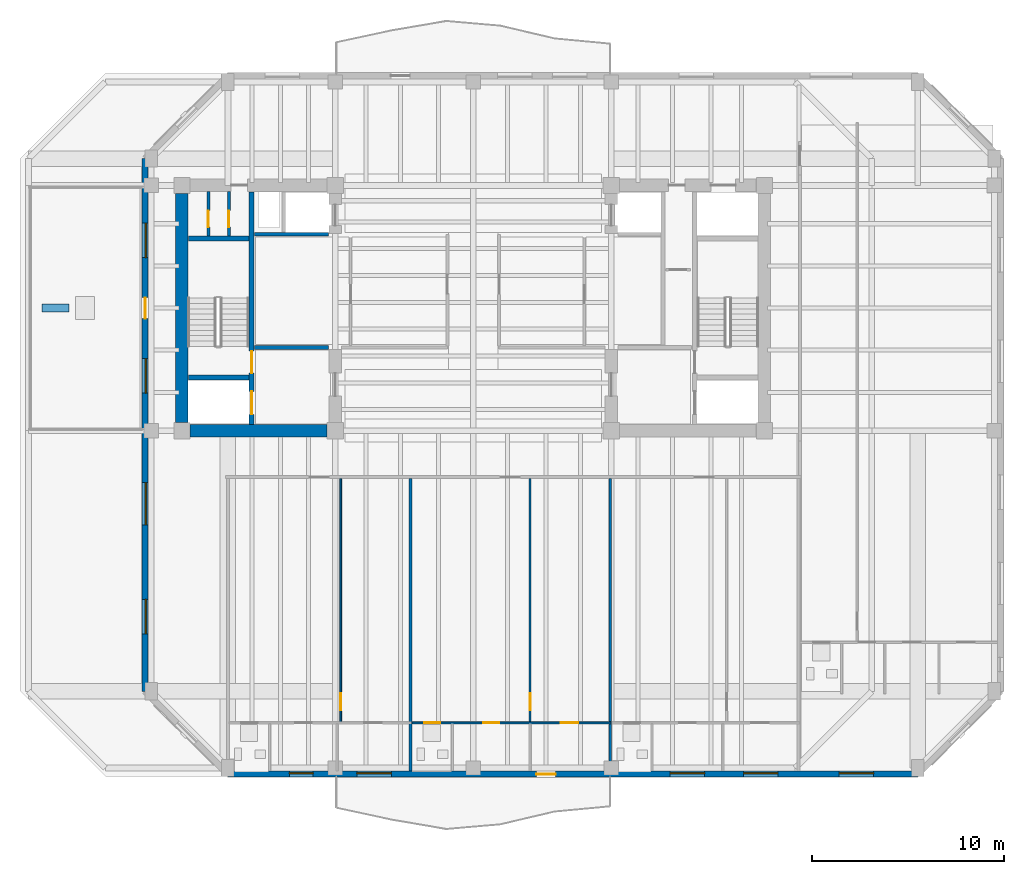
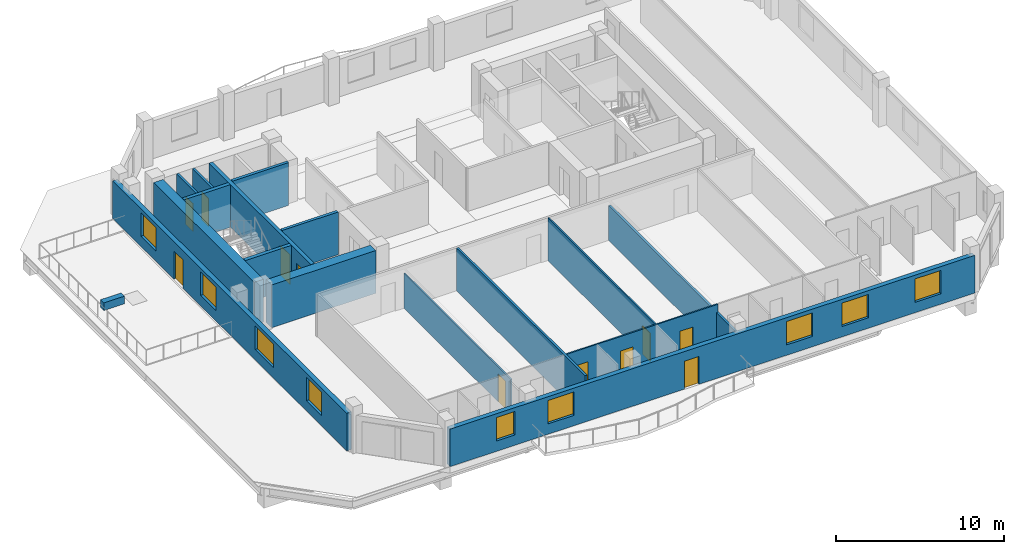
# One storey, part 3 of 11: 17 walls, 11 doors, 9 windows, 20 openings.
"""IFC4 building model written with IfcOpenShell, lengths in metres."""

from ifc_helpers import new_model, si_unit, direction, frame, frame_2d, origin, place, context, subcontext, project, spatial, rectangle, extrude, material, layer, layer_set, type_object, element, fill, save


model = new_model("IFC4")

# Units and contexts
model_context = context("Model", 3, precision=1e-05, world=origin(), true_north=direction((0.0, 1.0)))
body_context = subcontext(model_context, "Body", "Model", "MODEL_VIEW")
ifc_project = project(units=[si_unit("LENGTHUNIT", "METRE"), si_unit("AREAUNIT", "SQUARE_METRE"), si_unit("VOLUMEUNIT", "CUBIC_METRE"), si_unit("PLANEANGLEUNIT", "RADIAN"), si_unit("MASSUNIT", "GRAM", prefix="KILO")], contexts=[model_context])

# Site, building, storey
site_placement = place(None, origin())
site = spatial("IfcSite", under=ifc_project, at=site_placement, CompositionType="ELEMENT")
building_placement = place(site_placement, origin())
building = spatial("IfcBuilding", under=site, at=building_placement, Name="Kranthara Brick Stack", CompositionType="ELEMENT")
storey_placement = place(building_placement, frame((0.0, 0.0, 227.89990234375)))
storey = spatial("IfcBuildingStorey", under=building, at=storey_placement, Name="L59", CompositionType="ELEMENT", Elevation=227.89990234375)

# Wall, openings, door, windows
ifc_material_1 = material(Name="Warm buff clay brick masonry M15", Category="masonry")
ifc_layer_1 = layer(ifc_material_1, 0.320068359375)
ifc_layer_set_1 = layer_set([ifc_layer_1], Name="Warm buff clay brick masonry M15")
wall_type_1 = type_object("IfcWallType", Name="WL-BRK-UPPR-320", PredefinedType="STANDARD", material=ifc_layer_set_1)
wall_1_placement = place(storey_placement, frame((51.199951171875, 2.8798828125, 0.0), z_axis=(0.0, 0.0, 1.0), x_axis=(-1.0, 0.0, 0.0)))
wall_1 = element("IfcWall", 1, at=wall_1_placement, inside=storey, type_object=wall_type_1, Name="L59 Exterior Brick Facade Wall SOUTH 1", PredefinedType="STANDARD", context=body_context, shape_type="SweptSolid", body=[
    extrude(rectangle(XDim=36.0, YDim=0.320068359375, at=frame_2d((18.0, 0.0))), origin(), (0.0, 0.0, 1.0), 2.72509765625),
])
opening_1_placement = place(wall_1_placement, frame((18.89990234375, 0.0, 0.0)))
opening_1 = element("IfcOpeningElement", 2, at=opening_1_placement, cuts=wall_1, Name="Opening D03", PredefinedType="OPENING", context=body_context, shape_type="SweptSolid", body=[
    extrude(rectangle(XDim=1.0, YDim=2.02001953125, at=frame_2d((0.5, 1.010009765625))), frame((0.0, 0.169921875, 0.0), z_axis=(0.0, -1.0, 0.0), x_axis=(1.0, 0.0, 0.0)), (0.0, 0.0, 1.0), 0.340087890625),
])
opening_2_placement = place(wall_1_placement, frame((2.31005859375, 0.0, 0.75)))
opening_2 = element("IfcOpeningElement", 3, at=opening_2_placement, cuts=wall_1, Name="Opening WN07", PredefinedType="OPENING", context=body_context, shape_type="SweptSolid", body=[
    extrude(rectangle(XDim=1.800048828125, YDim=1.699951171875, at=frame_2d((0.89990234375, 0.85009765625))), frame((0.0, 0.169921875, 0.0), z_axis=(0.0, -1.0, 0.0), x_axis=(1.0, 0.0, 0.0)), (0.0, 0.0, 1.0), 0.340087890625),
])
opening_3_placement = place(wall_1_placement, frame((7.2939453125, 0.0, 0.75)))
opening_3 = element("IfcOpeningElement", 4, at=opening_3_placement, cuts=wall_1, Name="Opening WN07", PredefinedType="OPENING", context=body_context, shape_type="SweptSolid", body=[
    extrude(rectangle(XDim=1.800048828125, YDim=1.699951171875, at=frame_2d((0.89990234375, 0.85009765625))), frame((0.0, 0.169921875, 0.0), z_axis=(0.0, -1.0, 0.0), x_axis=(1.0, 0.0, 0.0)), (0.0, 0.0, 1.0), 0.340087890625),
])
opening_4_placement = place(wall_1_placement, frame((11.116943359375, 0.0, 0.75)))
opening_4 = element("IfcOpeningElement", 5, at=opening_4_placement, cuts=wall_1, Name="Opening WN07", PredefinedType="OPENING", context=body_context, shape_type="SweptSolid", body=[
    extrude(rectangle(XDim=1.800048828125, YDim=1.699951171875, at=frame_2d((0.89990234375, 0.85009765625))), frame((0.0, 0.169921875, 0.0), z_axis=(0.0, -1.0, 0.0), x_axis=(1.0, 0.0, 0.0)), (0.0, 0.0, 1.0), 0.340087890625),
])
opening_5_placement = place(wall_1_placement, frame((27.472900390625, 0.0, 0.75)))
opening_5 = element("IfcOpeningElement", 6, at=opening_5_placement, cuts=wall_1, Name="Opening WN07", PredefinedType="OPENING", context=body_context, shape_type="SweptSolid", body=[
    extrude(rectangle(XDim=1.800048828125, YDim=1.699951171875, at=frame_2d((0.89990234375, 0.85009765625))), frame((0.0, 0.169921875, 0.0), z_axis=(0.0, -1.0, 0.0), x_axis=(1.0, 0.0, 0.0)), (0.0, 0.0, 1.0), 0.340087890625),
])
opening_6_placement = place(wall_1_placement, frame((31.548095703125, 0.0, 0.75)))
opening_6 = element("IfcOpeningElement", 7, at=opening_6_placement, cuts=wall_1, Name="Opening WN09", PredefinedType="OPENING", context=body_context, shape_type="SweptSolid", body=[
    extrude(rectangle(XDim=1.25, YDim=1.699951171875, at=frame_2d((0.625, 0.85009765625))), frame((0.0, 0.169921875, 0.0), z_axis=(0.0, -1.0, 0.0), x_axis=(1.0, 0.0, 0.0)), (0.0, 0.0, 1.0), 0.340087890625),
])
ifc_material_2 = material(Name="Bronze anodised aluminium and laminated glass", Category="aluminium")
door_type_1 = type_object("IfcDoorType", Name="DR-BALC-1000", OperationType="NOTDEFINED", PredefinedType="DOOR", material=ifc_material_2)
door_1_placement = place(opening_1_placement, origin())
door_1 = element("IfcDoor", 8, at=door_1_placement, inside=storey, type_object=door_type_1, Name="L59 South Balcony Terrace Door", OperationType="SINGLE_SWING_LEFT", OverallHeight=2.02001953125, OverallWidth=1.0, PredefinedType="DOOR", context=body_context, shape_type="SweptSolid", body=[
    extrude(rectangle(XDim=1.0, YDim=2.02001953125, at=frame_2d((0.5, 1.010009765625))), frame((0.0, 0.02490234375, 0.0), z_axis=(0.0, -1.0, 0.0), x_axis=(1.0, 0.0, 0.0)), (0.0, 0.0, 1.0), 0.050048828125),
])
fill(opening_1, door_1)
ifc_material_3 = material(Name="Double-glazed low-E solar control glass", Category="glass")
window_type_1 = type_object("IfcWindowType", Name="WN-RES-1250x1850", PartitioningType="SINGLE_PANEL", PredefinedType="WINDOW", material=ifc_material_3)
window_1_placement = place(opening_6_placement, origin())
window_1 = element("IfcWindow", 9, at=window_1_placement, inside=storey, type_object=window_type_1, Name="L59 South Deep-Set Brick Window 05", OverallHeight=1.699951171875, OverallWidth=1.25, PartitioningType="SINGLE_PANEL", PredefinedType="WINDOW", context=body_context, shape_type="SweptSolid", body=[
    extrude(rectangle(XDim=1.25, YDim=1.699951171875, at=frame_2d((0.625, 0.85009765625))), frame((0.0, -0.010009765625, 0.0), z_axis=(0.0, -1.0, 0.0), x_axis=(1.0, 0.0, 0.0)), (0.0, 0.0, 1.0), 0.06005859375),
])
fill(opening_6, window_1)
ifc_material_4 = material(Name="Double-glazed low-E solar control glass", Category="glass")
window_type_2 = type_object("IfcWindowType", Name="WN-RES-1800x1850", PartitioningType="DOUBLE_PANEL_VERTICAL", PredefinedType="WINDOW", material=ifc_material_4)
window_2_placement = place(opening_2_placement, origin())
window_2 = element("IfcWindow", 10, at=window_2_placement, inside=storey, type_object=window_type_2, Name="L59 South Deep-Set Brick Window 01", OverallHeight=1.699951171875, OverallWidth=1.800048828125, PartitioningType="SINGLE_PANEL", PredefinedType="WINDOW", context=body_context, shape_type="SweptSolid", body=[
    extrude(rectangle(XDim=1.800048828125, YDim=1.699951171875, at=frame_2d((0.89990234375, 0.85009765625))), frame((0.0, -0.010009765625, 0.0), z_axis=(0.0, -1.0, 0.0), x_axis=(1.0, 0.0, 0.0)), (0.0, 0.0, 1.0), 0.06005859375),
])
fill(opening_2, window_2)
window_3_placement = place(opening_3_placement, origin())
window_3 = element("IfcWindow", 11, at=window_3_placement, inside=storey, type_object=window_type_2, Name="L59 South Deep-Set Brick Window 02", OverallHeight=1.699951171875, OverallWidth=1.800048828125, PartitioningType="SINGLE_PANEL", PredefinedType="WINDOW", context=body_context, shape_type="SweptSolid", body=[
    extrude(rectangle(XDim=1.800048828125, YDim=1.699951171875, at=frame_2d((0.89990234375, 0.85009765625))), frame((0.0, -0.010009765625, 0.0), z_axis=(0.0, -1.0, 0.0), x_axis=(1.0, 0.0, 0.0)), (0.0, 0.0, 1.0), 0.06005859375),
])
fill(opening_3, window_3)
window_4_placement = place(opening_4_placement, origin())
window_4 = element("IfcWindow", 12, at=window_4_placement, inside=storey, type_object=window_type_2, Name="L59 South Deep-Set Brick Window 03", OverallHeight=1.699951171875, OverallWidth=1.800048828125, PartitioningType="SINGLE_PANEL", PredefinedType="WINDOW", context=body_context, shape_type="SweptSolid", body=[
    extrude(rectangle(XDim=1.800048828125, YDim=1.699951171875, at=frame_2d((0.89990234375, 0.85009765625))), frame((0.0, -0.010009765625, 0.0), z_axis=(0.0, -1.0, 0.0), x_axis=(1.0, 0.0, 0.0)), (0.0, 0.0, 1.0), 0.06005859375),
])
fill(opening_4, window_4)
window_5_placement = place(opening_5_placement, origin())
window_5 = element("IfcWindow", 13, at=window_5_placement, inside=storey, type_object=window_type_2, Name="L59 South Deep-Set Brick Window 04", OverallHeight=1.699951171875, OverallWidth=1.800048828125, PartitioningType="SINGLE_PANEL", PredefinedType="WINDOW", context=body_context, shape_type="SweptSolid", body=[
    extrude(rectangle(XDim=1.800048828125, YDim=1.699951171875, at=frame_2d((0.89990234375, 0.85009765625))), frame((0.0, -0.010009765625, 0.0), z_axis=(0.0, -1.0, 0.0), x_axis=(1.0, 0.0, 0.0)), (0.0, 0.0, 1.0), 0.06005859375),
])
fill(opening_5, window_5)

wall_2_placement = place(storey_placement, frame((10.8798828125, 7.199951171875, 0.0), z_axis=(0.0, 0.0, 1.0), x_axis=(0.0, 1.0, 0.0)))
wall_2 = element("IfcWall", 14, at=wall_2_placement, inside=storey, type_object=wall_type_1, Name="L59 Exterior Brick Facade Wall WEST 1", PredefinedType="STANDARD", context=body_context, shape_type="SweptSolid", body=[
    extrude(rectangle(XDim=27.800048828125, YDim=0.320068359375, at=frame_2d((13.89990234375, 0.0))), origin(), (0.0, 0.0, 1.0), 2.72509765625),
])
opening_7_placement = place(wall_2_placement, frame((19.449951171875, 0.0, 0.0)))
opening_7 = element("IfcOpeningElement", 15, at=opening_7_placement, cuts=wall_2, Name="Opening D02", PredefinedType="OPENING", context=body_context, shape_type="SweptSolid", body=[
    extrude(rectangle(XDim=1.10009765625, YDim=2.050048828125, at=frame_2d((0.550048828125, 1.02490234375))), frame((0.0, 0.169921875, 0.0), z_axis=(0.0, -1.0, 0.0), x_axis=(1.0, 0.0, 0.0)), (0.0, 0.0, 1.0), 0.340087890625),
])
opening_8_placement = place(wall_2_placement, frame((2.991943359375, 0.0, 0.75)))
opening_8 = element("IfcOpeningElement", 16, at=opening_8_placement, cuts=wall_2, Name="Opening WN07", PredefinedType="OPENING", context=body_context, shape_type="SweptSolid", body=[
    extrude(rectangle(XDim=1.800048828125, YDim=1.699951171875, at=frame_2d((0.89990234375, 0.85009765625))), frame((0.0, 0.169921875, 0.0), z_axis=(0.0, -1.0, 0.0), x_axis=(1.0, 0.0, 0.0)), (0.0, 0.0, 1.0), 0.340087890625),
])
opening_9_placement = place(wall_2_placement, frame((8.68408203125, 0.0, 0.75)))
opening_9 = element("IfcOpeningElement", 17, at=opening_9_placement, cuts=wall_2, Name="Opening WN08", PredefinedType="OPENING", context=body_context, shape_type="SweptSolid", body=[
    extrude(rectangle(XDim=2.199951171875, YDim=1.699951171875, at=frame_2d((1.10009765625, 0.85009765625))), frame((0.0, 0.169921875, 0.0), z_axis=(0.0, -1.0, 0.0), x_axis=(1.0, 0.0, 0.0)), (0.0, 0.0, 1.0), 0.340087890625),
])
opening_10_placement = place(wall_2_placement, frame((15.56201171875, 0.0, 0.75)))
opening_10 = element("IfcOpeningElement", 18, at=opening_10_placement, cuts=wall_2, Name="Opening WN07", PredefinedType="OPENING", context=body_context, shape_type="SweptSolid", body=[
    extrude(rectangle(XDim=1.800048828125, YDim=1.699951171875, at=frame_2d((0.89990234375, 0.85009765625))), frame((0.0, 0.169921875, 0.0), z_axis=(0.0, -1.0, 0.0), x_axis=(1.0, 0.0, 0.0)), (0.0, 0.0, 1.0), 0.340087890625),
])
opening_11_placement = place(wall_2_placement, frame((22.637939453125, 0.0, 0.75)))
opening_11 = element("IfcOpeningElement", 19, at=opening_11_placement, cuts=wall_2, Name="Opening WN07", PredefinedType="OPENING", context=body_context, shape_type="SweptSolid", body=[
    extrude(rectangle(XDim=1.800048828125, YDim=1.699951171875, at=frame_2d((0.89990234375, 0.85009765625))), frame((0.0, 0.169921875, 0.0), z_axis=(0.0, -1.0, 0.0), x_axis=(1.0, 0.0, 0.0)), (0.0, 0.0, 1.0), 0.340087890625),
])
ifc_material_5 = material(Name="Bronze anodised aluminium and laminated glass", Category="aluminium")
door_type_2 = type_object("IfcDoorType", Name="DR-TERR-1100", OperationType="NOTDEFINED", PredefinedType="DOOR", material=ifc_material_5)
door_2_placement = place(opening_7_placement, origin())
door_2 = element("IfcDoor", 20, at=door_2_placement, inside=storey, type_object=door_type_2, Name="L59 Planted Sky Garden Terrace Door", OperationType="SINGLE_SWING_LEFT", OverallHeight=2.050048828125, OverallWidth=1.10009765625, PredefinedType="DOOR", context=body_context, shape_type="SweptSolid", body=[
    extrude(rectangle(XDim=1.10009765625, YDim=2.050048828125, at=frame_2d((0.550048828125, 1.02490234375))), frame((0.0, 0.02490234375, 0.0), z_axis=(0.0, -1.0, 0.0), x_axis=(1.0, 0.0, 0.0)), (0.0, 0.0, 1.0), 0.050048828125),
])
fill(opening_7, door_2)
window_6_placement = place(opening_8_placement, origin())
window_6 = element("IfcWindow", 21, at=window_6_placement, inside=storey, type_object=window_type_2, Name="L59 West Deep-Set Brick Window 01", OverallHeight=1.699951171875, OverallWidth=1.800048828125, PartitioningType="SINGLE_PANEL", PredefinedType="WINDOW", context=body_context, shape_type="SweptSolid", body=[
    extrude(rectangle(XDim=1.800048828125, YDim=1.699951171875, at=frame_2d((0.89990234375, 0.85009765625))), frame((0.0, -0.010009765625, 0.0), z_axis=(0.0, -1.0, 0.0), x_axis=(1.0, 0.0, 0.0)), (0.0, 0.0, 1.0), 0.06005859375),
])
fill(opening_8, window_6)
window_7_placement = place(opening_10_placement, origin())
window_7 = element("IfcWindow", 22, at=window_7_placement, inside=storey, type_object=window_type_2, Name="L59 West Deep-Set Brick Window 03", OverallHeight=1.699951171875, OverallWidth=1.800048828125, PartitioningType="SINGLE_PANEL", PredefinedType="WINDOW", context=body_context, shape_type="SweptSolid", body=[
    extrude(rectangle(XDim=1.800048828125, YDim=1.699951171875, at=frame_2d((0.89990234375, 0.85009765625))), frame((0.0, -0.010009765625, 0.0), z_axis=(0.0, -1.0, 0.0), x_axis=(1.0, 0.0, 0.0)), (0.0, 0.0, 1.0), 0.06005859375),
])
fill(opening_10, window_7)
window_8_placement = place(opening_11_placement, origin())
window_8 = element("IfcWindow", 23, at=window_8_placement, inside=storey, type_object=window_type_2, Name="L59 West Deep-Set Brick Window 04", OverallHeight=1.699951171875, OverallWidth=1.800048828125, PartitioningType="SINGLE_PANEL", PredefinedType="WINDOW", context=body_context, shape_type="SweptSolid", body=[
    extrude(rectangle(XDim=1.800048828125, YDim=1.699951171875, at=frame_2d((0.89990234375, 0.85009765625))), frame((0.0, -0.010009765625, 0.0), z_axis=(0.0, -1.0, 0.0), x_axis=(1.0, 0.0, 0.0)), (0.0, 0.0, 1.0), 0.06005859375),
])
fill(opening_11, window_8)
ifc_material_6 = material(Name="Double-glazed low-E solar control glass", Category="glass")
window_type_3 = type_object("IfcWindowType", Name="WN-RES-2200x1850", PartitioningType="TRIPLE_PANEL_VERTICAL", PredefinedType="WINDOW", material=ifc_material_6)
window_9_placement = place(opening_9_placement, origin())
window_9 = element("IfcWindow", 24, at=window_9_placement, inside=storey, type_object=window_type_3, Name="L59 West Deep-Set Brick Window 02", OverallHeight=1.699951171875, OverallWidth=2.199951171875, PartitioningType="SINGLE_PANEL", PredefinedType="WINDOW", context=body_context, shape_type="SweptSolid", body=[
    extrude(rectangle(XDim=2.199951171875, YDim=1.699951171875, at=frame_2d((1.10009765625, 0.85009765625))), frame((0.0, -0.010009765625, 0.0), z_axis=(0.0, -1.0, 0.0), x_axis=(1.0, 0.0, 0.0)), (0.0, 0.0, 1.0), 0.06005859375),
])
fill(opening_9, window_9)

# Wall, openings, doors
ifc_material_7 = material(Name="Concrete C50/60", Category="concrete")
ifc_layer_2 = layer(ifc_material_7, 0.25)
ifc_layer_set_2 = layer_set([ifc_layer_2], Name="Concrete C50/60")
wall_type_2 = type_object("IfcWallType", Name="WL-CORE-250", PredefinedType="SHEAR", material=ifc_layer_set_2)
wall_3_placement = place(storey_placement, frame((16.43505859375, 21.135009765625, 0.0), z_axis=(0.0, 0.0, 1.0), x_axis=(0.0, 1.0, 0.0)))
wall_3 = element("IfcWall", 25, at=wall_3_placement, inside=storey, type_object=wall_type_2, Name="L59 West Core Stair Bearing Spine Wall", PredefinedType="SHEAR", context=body_context, shape_type="SweptSolid", body=[
    extrude(rectangle(XDim=12.1298828125, YDim=0.25, at=frame_2d((6.06494140625, 0.0))), origin(), (0.0, 0.0, 1.0), 3.10009765625),
])
opening_12_placement = place(wall_3_placement, frame((0.514892578125, 0.0, 0.0)))
opening_12 = element("IfcOpeningElement", 26, at=opening_12_placement, cuts=wall_3, Name="Opening LD01", PredefinedType="OPENING", context=body_context, shape_type="SweptSolid", body=[
    extrude(rectangle(XDim=1.199951171875, YDim=2.14990234375, at=frame_2d((0.60009765625, 1.074951171875))), frame((0.0, 0.135009765625, 0.0), z_axis=(0.0, -1.0, 0.0), x_axis=(1.0, 0.0, 0.0)), (0.0, 0.0, 1.0), 0.27001953125),
])
opening_13_placement = place(wall_3_placement, frame((2.6650390625, 0.0, 0.0)))
opening_13 = element("IfcOpeningElement", 27, at=opening_13_placement, cuts=wall_3, Name="Opening D05", PredefinedType="OPENING", context=body_context, shape_type="SweptSolid", body=[
    extrude(rectangle(XDim=1.14990234375, YDim=2.14990234375, at=frame_2d((0.574951171875, 1.074951171875))), frame((0.0, 0.135009765625, 0.0), z_axis=(0.0, -1.0, 0.0), x_axis=(1.0, 0.0, 0.0)), (0.0, 0.0, 1.0), 0.27001953125),
])
ifc_material_8 = material(Name="Stainless steel sliding landing door", Category="steel")
door_type_3 = type_object("IfcDoorType", Name="DR-LD-FF1200", OperationType="DOUBLE_DOOR_SLIDING", PredefinedType="DOOR", material=ifc_material_8)
door_3_placement = place(opening_12_placement, origin())
door_3 = element("IfcDoor", 28, at=door_3_placement, inside=storey, type_object=door_type_3, Name="L59 Firefighting Lift FF-01 Landing Door", OperationType="DOUBLE_DOOR_SLIDING", OverallHeight=2.14990234375, OverallWidth=1.199951171875, PredefinedType="DOOR", context=body_context, shape_type="SweptSolid", body=[
    extrude(rectangle(XDim=1.199951171875, YDim=2.14990234375, at=frame_2d((0.60009765625, 1.074951171875))), frame((0.0, 0.02490234375, 0.0), z_axis=(0.0, -1.0, 0.0), x_axis=(1.0, 0.0, 0.0)), (0.0, 0.0, 1.0), 0.050048828125),
])
fill(opening_12, door_3)
ifc_material_9 = material(Name="Solid-core hardwood timber leaf in steel frame", Category="steel")
door_type_4 = type_object("IfcDoorType", Name="DR-ST-1150", OperationType="NOTDEFINED", PredefinedType="DOOR", material=ifc_material_9)
door_4_placement = place(opening_13_placement, origin())
door_4 = element("IfcDoor", 29, at=door_4_placement, inside=storey, type_object=door_type_4, Name="L59 Exit Stair ST01 Door", OperationType="SINGLE_SWING_RIGHT", OverallHeight=2.14990234375, OverallWidth=1.14990234375, PredefinedType="DOOR", context=body_context, shape_type="SweptSolid", body=[
    extrude(rectangle(XDim=1.14990234375, YDim=2.14990234375, at=frame_2d((0.574951171875, 1.074951171875))), frame((0.0, 0.02490234375, 0.0), z_axis=(0.0, -1.0, 0.0), x_axis=(1.0, 0.0, 0.0)), (0.0, 0.0, 1.0), 0.050048828125),
])
fill(opening_13, door_4)

# Walls
for number, where, z_axis, x_axis, name in (
    (30, (13.135009765625, 23.570068359375, 0.0), (0.0, 0.0, 1.0), (1.0, 0.0, 0.0), "L59 West Stairwell Bearing Wall WFF"),
    (31, (13.135009765625, 30.830078125, 0.0), (0.0, 0.0, 1.0), (1.0, 0.0, 0.0), "L59 West Stairwell Bearing Wall WST"),
):
    element("IfcWall", number, at=place(storey_placement, frame(where, z_axis=z_axis, x_axis=x_axis)), inside=storey, type_object=wall_type_2, Name=name, PredefinedType="SHEAR", context=body_context, shape_type="SweptSolid", body=[
        extrude(rectangle(XDim=3.175048828125, YDim=0.25, at=frame_2d((1.58740234375, 0.0))), origin(), (0.0, 0.0, 1.0), 3.10009765625),
    ])
ifc_material_10 = material(Name="Concrete C60/75", Category="concrete")
ifc_layer_3 = layer(ifc_material_10, 0.64990234375)
ifc_layer_set_3 = layer_set([ifc_layer_3], Name="Concrete C60/75")
wall_type_3 = type_object("IfcWallType", Name="WL-CORE-650", PredefinedType="SHEAR", material=ifc_layer_set_3)
wall_4_placement = place(storey_placement, frame((12.800048828125, 21.22998046875, 0.0), z_axis=(0.0, 0.0, 1.0), x_axis=(0.0, 1.0, 0.0)))
element("IfcWall", 32, at=wall_4_placement, inside=storey, type_object=wall_type_3, Name="L59 West Core Shear Wall West", PredefinedType="SHEAR", context=body_context, shape_type="SweptSolid", body=[
    extrude(rectangle(XDim=11.93994140625, YDim=0.64990234375, at=frame_2d((5.969970703125, 0.0))), origin(), (0.0, 0.0, 1.0), 3.10009765625),
])
wall_5_placement = place(storey_placement, frame((13.22998046875, 20.800048828125, 0.0), z_axis=(0.0, 0.0, 1.0), x_axis=(1.0, 0.0, 0.0)))
element("IfcWall", 33, at=wall_5_placement, inside=storey, type_object=wall_type_3, Name="L59 West Core Shear Wall South", PredefinedType="SHEAR", context=body_context, shape_type="SweptSolid", body=[
    extrude(rectangle(XDim=7.14013671875, YDim=0.64990234375, at=frame_2d((3.570068359375, 0.0))), origin(), (0.0, 0.0, 1.0), 3.10009765625),
])

# Wall, opening, door
ifc_material_11 = material(Name="Moisture-resistant wet-room partition", Category="other")
ifc_layer_4 = layer(ifc_material_11, 0.10009765625)
ifc_layer_set_4 = layer_set([ifc_layer_4], Name="Moisture-resistant wet-room partition")
wall_type_4 = type_object("IfcWallType", Name="WL-PART-100", PredefinedType="PARTITIONING", material=ifc_layer_set_4)
wall_6_placement = place(storey_placement, frame((21.089111328125, 5.60498046875, 0.0), z_axis=(0.0, 0.0, 1.0), x_axis=(0.0, 1.0, 0.0)))
wall_6 = element("IfcWall", 34, at=wall_6_placement, inside=storey, type_object=wall_type_4, Name="L59 Interior Partition 013", PredefinedType="PARTITIONING", context=body_context, shape_type="SweptSolid", body=[
    extrude(rectangle(XDim=12.695068359375, YDim=0.10009765625, at=frame_2d((6.34765625, 0.0))), origin(), (0.0, 0.0, 1.0), 2.53515625),
])
opening_14_placement = place(wall_6_placement, frame((0.60498046875, 0.0, 0.0)))
opening_14 = element("IfcOpeningElement", 35, at=opening_14_placement, cuts=wall_6, Name="Opening D15", PredefinedType="OPENING", context=body_context, shape_type="SweptSolid", body=[
    extrude(rectangle(XDim=0.89990234375, YDim=2.050048828125, at=frame_2d((0.449951171875, 1.02490234375))), frame((0.0, 0.06005859375, 0.0), z_axis=(0.0, -1.0, 0.0), x_axis=(1.0, 0.0, 0.0)), (0.0, 0.0, 1.0), 0.1201171875),
])
ifc_material_12 = material(Name="Solid-core hardwood timber leaf in steel frame", Category="steel")
door_type_5 = type_object("IfcDoorType", Name="DR-INT-900", OperationType="NOTDEFINED", PredefinedType="DOOR", material=ifc_material_12)
door_5_placement = place(opening_14_placement, origin())
door_5 = element("IfcDoor", 36, at=door_5_placement, inside=storey, type_object=door_type_5, Name="L59 Unit L59A Study 09", OperationType="SINGLE_SWING_LEFT", OverallHeight=2.050048828125, OverallWidth=0.89990234375, PredefinedType="DOOR", context=body_context, shape_type="SweptSolid", body=[
    extrude(rectangle(XDim=0.89990234375, YDim=2.050048828125, at=frame_2d((0.449951171875, 1.02490234375))), frame((0.0, 0.02490234375, 0.0), z_axis=(0.0, -1.0, 0.0), x_axis=(1.0, 0.0, 0.0)), (0.0, 0.0, 1.0), 0.050048828125),
])
fill(opening_14, door_5)

# Wall, openings, doors
wall_7_placement = place(storey_placement, frame((24.81005859375, 5.550048828125, 0.0), z_axis=(0.0, 0.0, 1.0), x_axis=(1.0, 0.0, 0.0)))
wall_7 = element("IfcWall", 37, at=wall_7_placement, inside=storey, type_object=wall_type_4, Name="L59 Interior Partition 017", PredefinedType="PARTITIONING", context=body_context, shape_type="SweptSolid", body=[
    extrude(rectangle(XDim=10.383056640625, YDim=0.10009765625, at=frame_2d((5.19140625, 0.0))), origin(), (0.0, 0.0, 1.0), 3.10009765625),
])
opening_15_placement = place(wall_7_placement, frame((0.625, 0.0, 0.0)))
opening_15 = element("IfcOpeningElement", 38, at=opening_15_placement, cuts=wall_7, Name="Opening D17", PredefinedType="OPENING", context=body_context, shape_type="SweptSolid", body=[
    extrude(rectangle(XDim=0.85009765625, YDim=2.050048828125, at=frame_2d((0.425048828125, 1.02490234375))), frame((0.0, 0.06005859375, 0.0), z_axis=(0.0, -1.0, 0.0), x_axis=(1.0, 0.0, 0.0)), (0.0, 0.0, 1.0), 0.1201171875),
])
opening_16_placement = place(wall_7_placement, frame((3.7041015625, 0.0, 0.0)))
opening_16 = element("IfcOpeningElement", 39, at=opening_16_placement, cuts=wall_7, Name="Opening D16", PredefinedType="OPENING", context=body_context, shape_type="SweptSolid", body=[
    extrude(rectangle(XDim=0.85009765625, YDim=2.050048828125, at=frame_2d((0.425048828125, 1.02490234375))), frame((0.0, 0.06005859375, 0.0), z_axis=(0.0, -1.0, 0.0), x_axis=(1.0, 0.0, 0.0)), (0.0, 0.0, 1.0), 0.1201171875),
])
opening_17_placement = place(wall_7_placement, frame((7.760986328125, 0.0, 0.0)))
opening_17 = element("IfcOpeningElement", 40, at=opening_17_placement, cuts=wall_7, Name="Opening D15", PredefinedType="OPENING", context=body_context, shape_type="SweptSolid", body=[
    extrude(rectangle(XDim=0.89990234375, YDim=2.050048828125, at=frame_2d((0.449951171875, 1.02490234375))), frame((0.0, 0.06005859375, 0.0), z_axis=(0.0, -1.0, 0.0), x_axis=(1.0, 0.0, 0.0)), (0.0, 0.0, 1.0), 0.1201171875),
])
ifc_material_13 = material(Name="Solid-core hardwood timber leaf in steel frame", Category="steel")
door_type_6 = type_object("IfcDoorType", Name="DR-INT-850", OperationType="NOTDEFINED", PredefinedType="DOOR", material=ifc_material_13)
door_6_placement = place(opening_16_placement, origin())
door_6 = element("IfcDoor", 41, at=door_6_placement, inside=storey, type_object=door_type_6, Name="L59 Unit L59B Kitchen 16", OperationType="SINGLE_SWING_RIGHT", OverallHeight=2.050048828125, OverallWidth=0.85009765625, PredefinedType="DOOR", context=body_context, shape_type="SweptSolid", body=[
    extrude(rectangle(XDim=0.85009765625, YDim=2.050048828125, at=frame_2d((0.425048828125, 1.02490234375))), frame((0.0, 0.02490234375, 0.0), z_axis=(0.0, -1.0, 0.0), x_axis=(1.0, 0.0, 0.0)), (0.0, 0.0, 1.0), 0.050048828125),
])
fill(opening_16, door_6)
door_7_placement = place(opening_17_placement, origin())
door_7 = element("IfcDoor", 42, at=door_7_placement, inside=storey, type_object=door_type_5, Name="L59 Unit L59B Bedroom 17", OperationType="SINGLE_SWING_LEFT", OverallHeight=2.050048828125, OverallWidth=0.89990234375, PredefinedType="DOOR", context=body_context, shape_type="SweptSolid", body=[
    extrude(rectangle(XDim=0.89990234375, YDim=2.050048828125, at=frame_2d((0.449951171875, 1.02490234375))), frame((0.0, 0.02490234375, 0.0), z_axis=(0.0, -1.0, 0.0), x_axis=(1.0, 0.0, 0.0)), (0.0, 0.0, 1.0), 0.050048828125),
])
fill(opening_17, door_7)
ifc_material_14 = material(Name="Solid-core hardwood timber leaf in steel frame", Category="steel")
door_type_7 = type_object("IfcDoorType", Name="DR-WET-850", OperationType="NOTDEFINED", PredefinedType="DOOR", material=ifc_material_14)
door_8_placement = place(opening_15_placement, origin())
door_8 = element("IfcDoor", 43, at=door_8_placement, inside=storey, type_object=door_type_7, Name="L59 Unit L59B Bathroom 15", OperationType="SINGLE_SWING_LEFT", OverallHeight=2.050048828125, OverallWidth=0.85009765625, PredefinedType="DOOR", context=body_context, shape_type="SweptSolid", body=[
    extrude(rectangle(XDim=0.85009765625, YDim=2.050048828125, at=frame_2d((0.425048828125, 1.02490234375))), frame((0.0, 0.02490234375, 0.0), z_axis=(0.0, -1.0, 0.0), x_axis=(1.0, 0.0, 0.0)), (0.0, 0.0, 1.0), 0.050048828125),
])
fill(opening_15, door_8)

# Wall, opening, door
wall_8_placement = place(storey_placement, frame((30.966064453125, 5.60498046875, 0.0), z_axis=(0.0, 0.0, 1.0), x_axis=(0.0, 1.0, 0.0)))
wall_8 = element("IfcWall", 44, at=wall_8_placement, inside=storey, type_object=wall_type_4, Name="L59 Interior Partition 018", PredefinedType="PARTITIONING", context=body_context, shape_type="SweptSolid", body=[
    extrude(rectangle(XDim=12.695068359375, YDim=0.10009765625, at=frame_2d((6.34765625, 0.0))), origin(), (0.0, 0.0, 1.0), 3.10009765625),
])
opening_18_placement = place(wall_8_placement, frame((0.60498046875, 0.0, 0.0)))
opening_18 = element("IfcOpeningElement", 45, at=opening_18_placement, cuts=wall_8, Name="Opening D15", PredefinedType="OPENING", context=body_context, shape_type="SweptSolid", body=[
    extrude(rectangle(XDim=0.89990234375, YDim=2.050048828125, at=frame_2d((0.449951171875, 1.02490234375))), frame((0.0, 0.06005859375, 0.0), z_axis=(0.0, -1.0, 0.0), x_axis=(1.0, 0.0, 0.0)), (0.0, 0.0, 1.0), 0.1201171875),
])
door_9_placement = place(opening_18_placement, origin())
door_9 = element("IfcDoor", 46, at=door_9_placement, inside=storey, type_object=door_type_5, Name="L59 Unit L59B Study 14", OperationType="SINGLE_SWING_RIGHT", OverallHeight=2.050048828125, OverallWidth=0.89990234375, PredefinedType="DOOR", context=body_context, shape_type="SweptSolid", body=[
    extrude(rectangle(XDim=0.89990234375, YDim=2.050048828125, at=frame_2d((0.449951171875, 1.02490234375))), frame((0.0, 0.02490234375, 0.0), z_axis=(0.0, -1.0, 0.0), x_axis=(1.0, 0.0, 0.0)), (0.0, 0.0, 1.0), 0.050048828125),
])
fill(opening_18, door_9)

ifc_material_15 = material(Name="Fire-rated gypsum board partition", Category="other")
ifc_layer_5 = layer(ifc_material_15, 0.14990234375)
ifc_layer_set_5 = layer_set([ifc_layer_5], Name="Fire-rated gypsum board partition")
wall_type_5 = type_object("IfcWallType", Name="WL-PART-150", PredefinedType="PARTITIONING", material=ifc_layer_set_5)
wall_9_placement = place(storey_placement, frame((14.179931640625, 30.9599609375, 0.0), z_axis=(0.0, 0.0, 1.0), x_axis=(0.0, 1.0, 0.0)))
wall_9 = element("IfcWall", 47, at=wall_9_placement, inside=storey, type_object=wall_type_5, Name="L59 Interior Partition 001", PredefinedType="PARTITIONING", context=body_context, shape_type="SweptSolid", body=[
    extrude(rectangle(XDim=2.31005859375, YDim=0.14990234375, at=frame_2d((1.155029296875, 0.0))), origin(), (0.0, 0.0, 1.0), 3.10009765625),
])
opening_19_placement = place(wall_9_placement, frame((0.469970703125, 0.0, 0.0)))
opening_19 = element("IfcOpeningElement", 48, at=opening_19_placement, cuts=wall_9, Name="Opening D10", PredefinedType="OPENING", context=body_context, shape_type="SweptSolid", body=[
    extrude(rectangle(XDim=0.85009765625, YDim=2.02001953125, at=frame_2d((0.425048828125, 1.010009765625))), frame((0.0, 0.0849609375, 0.0), z_axis=(0.0, -1.0, 0.0), x_axis=(1.0, 0.0, 0.0)), (0.0, 0.0, 1.0), 0.169921875),
])
ifc_material_16 = material(Name="Solid-core hardwood timber leaf in steel frame", Category="steel")
door_type_8 = type_object("IfcDoorType", Name="DR-RSR-850", OperationType="NOTDEFINED", PredefinedType="DOOR", material=ifc_material_16)
door_10_placement = place(opening_19_placement, origin())
door_10 = element("IfcDoor", 49, at=door_10_placement, inside=storey, type_object=door_type_8, Name="L59 Riser Door A 01", OperationType="SINGLE_SWING_LEFT", OverallHeight=2.02001953125, OverallWidth=0.85009765625, PredefinedType="DOOR", context=body_context, shape_type="SweptSolid", body=[
    extrude(rectangle(XDim=0.85009765625, YDim=2.02001953125, at=frame_2d((0.425048828125, 1.010009765625))), frame((0.0, 0.02490234375, 0.0), z_axis=(0.0, -1.0, 0.0), x_axis=(1.0, 0.0, 0.0)), (0.0, 0.0, 1.0), 0.050048828125),
])
fill(opening_19, door_10)

wall_10_placement = place(storey_placement, frame((15.25, 30.9599609375, 0.0), z_axis=(0.0, 0.0, 1.0), x_axis=(0.0, 1.0, 0.0)))
wall_10 = element("IfcWall", 50, at=wall_10_placement, inside=storey, type_object=wall_type_5, Name="L59 Interior Partition 002", PredefinedType="PARTITIONING", context=body_context, shape_type="SweptSolid", body=[
    extrude(rectangle(XDim=2.31005859375, YDim=0.14990234375, at=frame_2d((1.155029296875, 0.0))), origin(), (0.0, 0.0, 1.0), 3.10009765625),
])
opening_20_placement = place(wall_10_placement, frame((0.469970703125, 0.0, 0.0)))
opening_20 = element("IfcOpeningElement", 51, at=opening_20_placement, cuts=wall_10, Name="Opening D10", PredefinedType="OPENING", context=body_context, shape_type="SweptSolid", body=[
    extrude(rectangle(XDim=0.85009765625, YDim=2.02001953125, at=frame_2d((0.425048828125, 1.010009765625))), frame((0.0, 0.0849609375, 0.0), z_axis=(0.0, -1.0, 0.0), x_axis=(1.0, 0.0, 0.0)), (0.0, 0.0, 1.0), 0.169921875),
])
door_11_placement = place(opening_20_placement, origin())
door_11 = element("IfcDoor", 52, at=door_11_placement, inside=storey, type_object=door_type_8, Name="L59 Riser Door B 02", OperationType="SINGLE_SWING_RIGHT", OverallHeight=2.02001953125, OverallWidth=0.85009765625, PredefinedType="DOOR", context=body_context, shape_type="SweptSolid", body=[
    extrude(rectangle(XDim=0.85009765625, YDim=2.02001953125, at=frame_2d((0.425048828125, 1.010009765625))), frame((0.0, 0.02490234375, 0.0), z_axis=(0.0, -1.0, 0.0), x_axis=(1.0, 0.0, 0.0)), (0.0, 0.0, 1.0), 0.050048828125),
])
fill(opening_20, door_11)

# Walls
wall_11_placement = place(storey_placement, frame((24.72998046875, 3.044921875, 0.0), z_axis=(0.0, 0.0, 1.0), x_axis=(0.0, 1.0, 0.0)))
element("IfcWall", 53, at=wall_11_placement, inside=storey, type_object=wall_type_5, Name="L59 Interior Partition 016", PredefinedType="PARTITIONING", context=body_context, shape_type="SweptSolid", body=[
    extrude(rectangle(XDim=15.255126953125, YDim=0.14990234375, at=frame_2d((7.62744140625, 0.0))), origin(), (0.0, 0.0, 1.0), 3.10009765625),
])
wall_12_placement = place(storey_placement, frame((35.153076171875, 3.044921875, 0.0), z_axis=(0.0, 0.0, 1.0), x_axis=(0.0, 1.0, 0.0)))
element("IfcWall", 54, at=wall_12_placement, inside=storey, type_object=wall_type_5, Name="L59 Interior Partition 021", PredefinedType="PARTITIONING", context=body_context, shape_type="SweptSolid", body=[
    extrude(rectangle(XDim=15.255126953125, YDim=0.14990234375, at=frame_2d((7.62744140625, 0.0))), origin(), (0.0, 0.0, 1.0), 2.53515625),
])
ifc_material_17 = material(Name="Concrete C40/50", Category="concrete")
ifc_layer_6 = layer(ifc_material_17, 0.199951171875)
ifc_layer_set_6 = layer_set([ifc_layer_6], Name="Concrete C40/50")
wall_type_6 = type_object("IfcWallType", Name="WL-PART-200", PredefinedType="SOLIDWALL", material=ifc_layer_set_6)
for number, where, z_axis, x_axis, name in (
    (55, (16.60009765625, 25.14990234375, 0.0), (0.0, 0.0, 1.0), (1.0, 0.0, 0.0), "L59 West Core Cross Wall WFL"),
    (56, (16.60009765625, 31.050048828125, 0.0), (0.0, 0.0, 1.0), (1.0, 0.0, 0.0), "L59 West Core Cross Wall WH4"),
):
    element("IfcWall", number, at=place(storey_placement, frame(where, z_axis=z_axis, x_axis=x_axis)), inside=storey, type_object=wall_type_6, Name=name, PredefinedType="SOLIDWALL", context=body_context, shape_type="SweptSolid", body=[
        extrude(rectangle(XDim=3.849853515625, YDim=0.199951171875, at=frame_2d((1.9248046875, 0.0))), origin(), (0.0, 0.0, 1.0), 3.10009765625),
    ])
ifc_material_18 = material(Name="Precast concrete C40/50", Category="concrete")
ifc_layer_7 = layer(ifc_material_18, 0.219970703125)
ifc_layer_set_7 = layer_set([ifc_layer_7], Name="Precast concrete C40/50")
wall_type_7 = type_object("IfcWallType", Name="WL-PLN-KERB-220", PredefinedType="PARAPET", material=ifc_layer_set_7)
wall_13_placement = place(storey_placement, frame((5.5, 27.199951171875, 0.0), z_axis=(0.0, 0.0, 1.0), x_axis=(1.0, 0.0, 0.0)))
element("IfcWall", 57, at=wall_13_placement, inside=storey, type_object=wall_type_7, Name="L59 Sky Garden Planted Planter Bed", PredefinedType="PARAPET", context=body_context, shape_type="SweptSolid", body=[
    extrude(rectangle(XDim=1.39990234375, YDim=0.39990234375, at=frame_2d((0.699951171875, 0.0))), origin(), (0.0, 0.0, 1.0), 0.550048828125),
])

save(model, "model.ifc")
